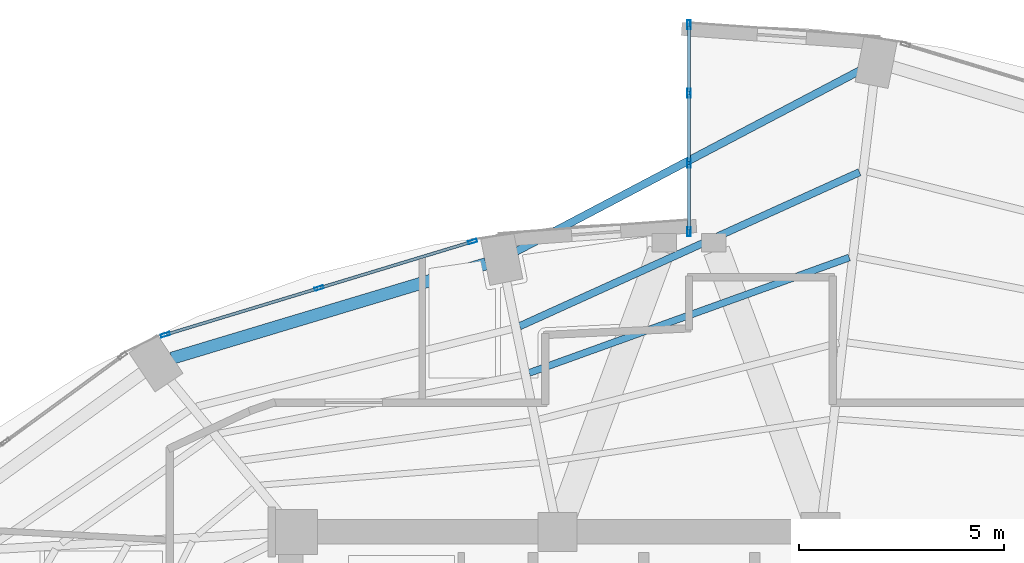
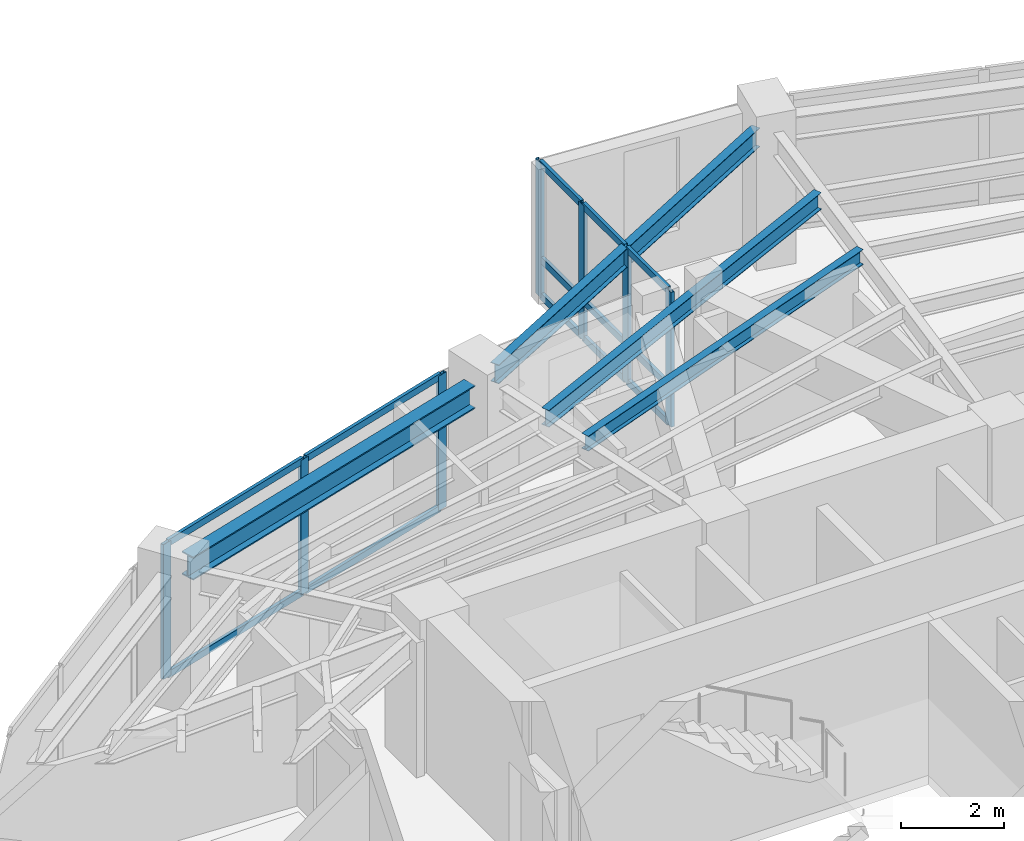
# One storey, part 12 of 20: 20 members, 4 beams, 2 elements without a shape of their own.
"""IFC4 building model written with IfcOpenShell, lengths in metres."""

from ifc_helpers import new_model, si_unit, direction, frame, origin, origin_2d, place, context, subcontext, project, spatial, hollow_rectangle, i_section, extrude, material, layer, layer_set, material_profile, profile_set, type_object, element, aggregate, save


model = new_model("IFC4")

# Units and contexts
model_context = context("Model", 3, precision=1e-05, world=origin(), true_north=direction((0.0, 1.0)))
body_context = subcontext(model_context, "Body", "Model", "MODEL_VIEW")
ifc_project = project(units=[si_unit("LENGTHUNIT", "METRE"), si_unit("AREAUNIT", "SQUARE_METRE"), si_unit("VOLUMEUNIT", "CUBIC_METRE"), si_unit("PLANEANGLEUNIT", "RADIAN"), si_unit("MASSUNIT", "GRAM", prefix="KILO")], contexts=[model_context])

# Site, building, storey
site_placement = place(None, origin())
site = spatial("IfcSite", under=ifc_project, at=site_placement, CompositionType="ELEMENT")
building_placement = place(site_placement, origin())
building = spatial("IfcBuilding", under=site, at=building_placement, Name="Lazwardi Medical Tower", CompositionType="ELEMENT")
storey_placement = place(building_placement, frame((0.0, 0.0, 185.7119140625)))
storey = spatial("IfcBuildingStorey", under=building, at=storey_placement, Name="L48", CompositionType="ELEMENT", Elevation=185.7119140625)

# Beams
ifc_material_1 = material(Name="Steel S355", Category="steel")
ifc_material_profile_1 = material_profile(ifc_material_1, i_section(OverallWidth=0.300048828125, OverallDepth=0.550048828125, WebThickness=0.014892578125, FlangeThickness=0.029052734375, at=origin_2d()), Name="HEB 550")
ifc_profile_set_1 = profile_set([ifc_material_profile_1], Name="Steel S355")
beam_type_1 = type_object("IfcBeamType", Name="BM-RB-Z3", PredefinedType="BEAM", material=ifc_profile_set_1)
beam_1_placement = place(storey_placement, frame((31.056884765625, 42.133544921875, 2.923095703125), z_axis=(-0.957616873483, -0.288045002771, 0.0), x_axis=(0.288045002771, -0.957616873483, 0.0)))
element("IfcBeam", 1, at=beam_1_placement, inside=storey, type_object=beam_type_1, Name="Ring beam RB-04 B09 L48", PredefinedType="BEAM", context=body_context, shape_type="SweptSolid", body=[
    extrude(i_section(OverallWidth=0.300048828125, OverallDepth=0.550048828125, WebThickness=0.014892578125, FlangeThickness=0.029052734375, at=origin_2d()), origin(), (0.0, 0.0, 1.0), 7.99951171875),
])
ifc_material_profile_2 = material_profile(ifc_material_1, i_section(OverallWidth=0.179931640625, OverallDepth=0.39990234375, WebThickness=0.008544921875, FlangeThickness=0.013427734375, at=origin_2d()), Name="IPE 400")
ifc_profile_set_2 = profile_set([ifc_material_profile_2], Name="Steel S355")
beam_type_2 = type_object("IfcBeamType", Name="BM-SJ-01", PredefinedType="JOIST", material=ifc_profile_set_2)
beam_2_placement = place(storey_placement, frame((40.155029296875, 44.3642578125, 2.998046875), z_axis=(-0.910834000674, -0.412772846995, 0.0), x_axis=(0.412772846995, -0.910834000674, 0.0)))
element("IfcBeam", 2, at=beam_2_placement, inside=storey, type_object=beam_type_2, Name="Secondary joist SJ-01 R1 B08 L48", PredefinedType="JOIST", context=body_context, shape_type="SweptSolid", body=[
    extrude(i_section(OverallWidth=0.179931640625, OverallDepth=0.39990234375, WebThickness=0.008544921875, FlangeThickness=0.013427734375, at=origin_2d()), origin(), (0.0, 0.0, 1.0), 9.09130859375),
])
ifc_material_profile_3 = material_profile(ifc_material_1, i_section(OverallWidth=0.169921875, OverallDepth=0.360107421875, WebThickness=0.008056640625, FlangeThickness=0.0126953125, at=origin_2d()), Name="IPE 360")
ifc_profile_set_3 = profile_set([ifc_material_profile_3], Name="Steel S355")
beam_type_3 = type_object("IfcBeamType", Name="BM-SJ-02", PredefinedType="JOIST", material=ifc_profile_set_3)
beam_3_placement = place(storey_placement, frame((39.904052734375, 42.284423828125, 3.01806640625), z_axis=(-0.940747993319, -0.339106492221, 0.0), x_axis=(0.339106492221, -0.940747993319, 0.0)))
element("IfcBeam", 3, at=beam_3_placement, inside=storey, type_object=beam_type_3, Name="Secondary joist SJ-02 R2 B08 L48", PredefinedType="JOIST", context=body_context, shape_type="SweptSolid", body=[
    extrude(i_section(OverallWidth=0.169921875, OverallDepth=0.360107421875, WebThickness=0.008056640625, FlangeThickness=0.0126953125, at=origin_2d()), origin(), (0.0, 0.0, 1.0), 8.28662109375),
])
ifc_material_profile_4 = material_profile(ifc_material_1, i_section(OverallWidth=0.18994140625, OverallDepth=0.449951171875, WebThickness=0.009521484375, FlangeThickness=0.0146484375, at=origin_2d()), Name="IPE 450")
ifc_profile_set_4 = profile_set([ifc_material_profile_4], Name="Steel S355")
beam_type_4 = type_object("IfcBeamType", Name="BM-SP-01", PredefinedType="SPANDREL", material=ifc_profile_set_4)
beam_4_placement = place(storey_placement, frame((40.206298828125, 46.862548828125, 2.97314453125), z_axis=(-0.884926578414, -0.465730556026, 0.0), x_axis=(0.465730556026, -0.884926578414, 0.0)))
element("IfcBeam", 4, at=beam_4_placement, inside=storey, type_object=beam_type_4, Name="Spandrel beam SP-01 B08 L48", PredefinedType="SPANDREL", context=body_context, shape_type="SweptSolid", body=[
    extrude(i_section(OverallWidth=0.18994140625, OverallDepth=0.449951171875, WebThickness=0.009521484375, FlangeThickness=0.0146484375, at=origin_2d()), origin(), (0.0, 0.0, 1.0), 9.506591796875),
])

# Curtain wall, members
ifc_material_2 = material(Name="Anodised bronze aluminium and solar control glazing", Category="aluminium")
ifc_layer_1 = layer(ifc_material_2, 0.195068359375)
ifc_layer_set_1 = layer_set([ifc_layer_1], Name="Anodised bronze aluminium and solar control glazing")
curtain_wall_type_1 = type_object("IfcCurtainWallType", Name="CW-SYS-03", PredefinedType="NOTDEFINED", material=ifc_layer_set_1)
curtain_wall_1_placement = place(storey_placement, origin())
curtain_wall_1 = element("IfcCurtainWall", 5, at=curtain_wall_1_placement, inside=storey, type_object=curtain_wall_type_1, Name="L48 Unitised bronze curtain wall CW-03", PredefinedType="NOTDEFINED")
ifc_material_3 = material(Name="Anodised bronze aluminium", Category="aluminium")
ifc_material_profile_5 = material_profile(ifc_material_3, hollow_rectangle(XDim=0.074951171875, YDim=0.219970703125, WallThickness=0.00390625, at=origin_2d()), Name="ALU-MULLION 220x75x4")
ifc_profile_set_5 = profile_set([ifc_material_profile_5], Name="Anodised bronze aluminium")
member_type_1 = type_object("IfcMemberType", Name="CW-MUL-01", PredefinedType="MULLION", material=ifc_profile_set_5)
member_1_placement = place(storey_placement, frame((30.72802734375, 42.674072265625, 0.0), z_axis=(0.0, 0.0, 1.0), x_axis=(0.290280785441, -0.956941516292, 0.0)))
member_1 = element("IfcMember", 6, at=member_1_placement, type_object=member_type_1, Name="CW-03 mullion 1", PredefinedType="MULLION", context=body_context, shape_type="SweptSolid", body=[
    extrude(hollow_rectangle(XDim=0.074951171875, YDim=0.219970703125, WallThickness=0.00390625, at=origin_2d()), origin(), (0.0, 0.0, 1.0), 3.197998046875),
])
member_2_placement = place(storey_placement, frame((26.98486328125, 41.538818359375, 0.0), z_axis=(0.0, 0.0, 1.0), x_axis=(0.290280785441, -0.956941516292, 0.0)))
member_2 = element("IfcMember", 7, at=member_2_placement, type_object=member_type_1, Name="CW-03 mullion 2", PredefinedType="MULLION", context=body_context, shape_type="SweptSolid", body=[
    extrude(hollow_rectangle(XDim=0.074951171875, YDim=0.219970703125, WallThickness=0.00390625, at=origin_2d()), origin(), (0.0, 0.0, 1.0), 3.197998046875),
])
member_3_placement = place(storey_placement, frame((23.241943359375, 40.4033203125, 0.0), z_axis=(0.0, 0.0, 1.0), x_axis=(0.290280785441, -0.956941516292, 0.0)))
member_3 = element("IfcMember", 8, at=member_3_placement, type_object=member_type_1, Name="CW-03 mullion 3", PredefinedType="MULLION", context=body_context, shape_type="SweptSolid", body=[
    extrude(hollow_rectangle(XDim=0.074951171875, YDim=0.219970703125, WallThickness=0.00390625, at=origin_2d()), origin(), (0.0, 0.0, 1.0), 3.197998046875),
])

ifc_layer_2 = layer(ifc_material_2, 0.2099609375)
ifc_layer_set_2 = layer_set([ifc_layer_2], Name="Anodised bronze aluminium and solar control glazing")
curtain_wall_type_2 = type_object("IfcCurtainWallType", Name="CW-SYS-06", PredefinedType="NOTDEFINED", material=ifc_layer_set_2)
curtain_wall_2_placement = place(storey_placement, origin())
curtain_wall_2 = element("IfcCurtainWall", 9, at=curtain_wall_2_placement, inside=storey, type_object=curtain_wall_type_2, Name="L48 Unitised bronze curtain wall CW-06", PredefinedType="NOTDEFINED")
member_4_placement = place(storey_placement, frame((36.0, 47.96240234375, 0.0), z_axis=(0.0, 0.0, 1.0), x_axis=(1.0, 0.0, 0.0)))
member_4 = element("IfcMember", 10, at=member_4_placement, type_object=member_type_1, Name="CW-06 mullion 1", PredefinedType="MULLION", context=body_context, shape_type="SweptSolid", body=[
    extrude(hollow_rectangle(XDim=0.074951171875, YDim=0.219970703125, WallThickness=0.00390625, at=origin_2d()), origin(), (0.0, 0.0, 1.0), 3.197998046875),
])
member_5_placement = place(storey_placement, frame((36.0, 46.293212890625, 0.0), z_axis=(0.0, 0.0, 1.0), x_axis=(1.0, 0.0, 0.0)))
member_5 = element("IfcMember", 11, at=member_5_placement, type_object=member_type_1, Name="CW-06 mullion 2", PredefinedType="MULLION", context=body_context, shape_type="SweptSolid", body=[
    extrude(hollow_rectangle(XDim=0.074951171875, YDim=0.219970703125, WallThickness=0.00390625, at=origin_2d()), origin(), (0.0, 0.0, 1.0), 3.197998046875),
])
member_6_placement = place(storey_placement, frame((36.0, 44.586669921875, 0.0), z_axis=(0.0, 0.0, 1.0), x_axis=(1.0, 0.0, 0.0)))
member_6 = element("IfcMember", 12, at=member_6_placement, type_object=member_type_1, Name="CW-06 mullion 3", PredefinedType="MULLION", context=body_context, shape_type="SweptSolid", body=[
    extrude(hollow_rectangle(XDim=0.074951171875, YDim=0.219970703125, WallThickness=0.00390625, at=origin_2d()), origin(), (0.0, 0.0, 1.0), 3.197998046875),
])
member_7_placement = place(storey_placement, frame((36.0, 42.91748046875, 0.0), z_axis=(0.0, 0.0, 1.0), x_axis=(1.0, 0.0, 0.0)))
member_7 = element("IfcMember", 13, at=member_7_placement, type_object=member_type_1, Name="CW-06 mullion 4", PredefinedType="MULLION", context=body_context, shape_type="SweptSolid", body=[
    extrude(hollow_rectangle(XDim=0.074951171875, YDim=0.219970703125, WallThickness=0.00390625, at=origin_2d()), origin(), (0.0, 0.0, 1.0), 3.197998046875),
])

# Member
ifc_material_profile_6 = material_profile(ifc_material_3, hollow_rectangle(XDim=0.074951171875, YDim=0.159912109375, WallThickness=0.00390625, at=origin_2d()), Name="ALU-TRANSOM 160x75x4")
ifc_profile_set_6 = profile_set([ifc_material_profile_6], Name="Anodised bronze aluminium")
member_type_2 = type_object("IfcMemberType", Name="CW-TRN-01", PredefinedType="USERDEFINED", material=ifc_profile_set_6)
member_8_placement = place(storey_placement, frame((30.692138671875, 42.663330078125, 0.03759765625), z_axis=(-0.956935517424, -0.290300560612, 0.0), x_axis=(0.290300560612, -0.956935517424, 0.0)))
member_8 = element("IfcMember", 14, at=member_8_placement, type_object=member_type_2, Name="CW-03 transom 1.1", ObjectType="TRANSOM", PredefinedType="USERDEFINED", context=body_context, shape_type="SweptSolid", body=[
    extrude(hollow_rectangle(XDim=0.074951171875, YDim=0.159912109375, WallThickness=0.00390625, at=origin_2d()), origin(), (0.0, 0.0, 1.0), 3.836669921875),
])

member_9_placement = place(storey_placement, frame((30.692138671875, 42.663330078125, 3.16064453125), z_axis=(-0.956935517424, -0.290300560612, 0.0), x_axis=(0.290300560612, -0.956935517424, 0.0)))
member_9 = element("IfcMember", 15, at=member_9_placement, type_object=member_type_2, Name="CW-03 transom 1.2", ObjectType="TRANSOM", PredefinedType="USERDEFINED", context=body_context, shape_type="SweptSolid", body=[
    extrude(hollow_rectangle(XDim=0.074951171875, YDim=0.159912109375, WallThickness=0.00390625, at=origin_2d()), origin(), (0.0, 0.0, 1.0), 3.836669921875),
])

member_10_placement = place(storey_placement, frame((26.948974609375, 41.52783203125, 0.03759765625), z_axis=(-0.956930154175, -0.290318239233, 0.0), x_axis=(0.290318239233, -0.956930154175, 0.0)))
member_10 = element("IfcMember", 16, at=member_10_placement, type_object=member_type_2, Name="CW-03 transom 2.1", ObjectType="TRANSOM", PredefinedType="USERDEFINED", context=body_context, shape_type="SweptSolid", body=[
    extrude(hollow_rectangle(XDim=0.074951171875, YDim=0.159912109375, WallThickness=0.00390625, at=origin_2d()), origin(), (0.0, 0.0, 1.0), 3.83642578125),
])

member_11_placement = place(storey_placement, frame((26.948974609375, 41.52783203125, 3.16064453125), z_axis=(-0.956930154175, -0.290318239233, 0.0), x_axis=(0.290318239233, -0.956930154175, 0.0)))
member_11 = element("IfcMember", 17, at=member_11_placement, type_object=member_type_2, Name="CW-03 transom 2.2", ObjectType="TRANSOM", PredefinedType="USERDEFINED", context=body_context, shape_type="SweptSolid", body=[
    extrude(hollow_rectangle(XDim=0.074951171875, YDim=0.159912109375, WallThickness=0.00390625, at=origin_2d()), origin(), (0.0, 0.0, 1.0), 3.83642578125),
])

aggregate(curtain_wall_1, [member_1, member_2, member_3, member_8, member_9, member_10, member_11])

member_12_placement = place(storey_placement, frame((36.0, 47.925048828125, 0.03759765625), z_axis=(0.0, -1.0, 0.0), x_axis=(1.0, 0.0, 0.0)))
member_12 = element("IfcMember", 18, at=member_12_placement, type_object=member_type_2, Name="CW-06 transom 1.1", ObjectType="TRANSOM", PredefinedType="USERDEFINED", context=body_context, shape_type="SweptSolid", body=[
    extrude(hollow_rectangle(XDim=0.074951171875, YDim=0.159912109375, WallThickness=0.00390625, at=origin_2d()), origin(), (0.0, 0.0, 1.0), 1.59423828125),
])

member_13_placement = place(storey_placement, frame((36.0, 47.925048828125, 0.900146484375), z_axis=(0.0, -1.0, 0.0), x_axis=(1.0, 0.0, 0.0)))
member_13 = element("IfcMember", 19, at=member_13_placement, type_object=member_type_2, Name="CW-06 transom 1.2", ObjectType="TRANSOM", PredefinedType="USERDEFINED", context=body_context, shape_type="SweptSolid", body=[
    extrude(hollow_rectangle(XDim=0.074951171875, YDim=0.159912109375, WallThickness=0.00390625, at=origin_2d()), origin(), (0.0, 0.0, 1.0), 1.59423828125),
])

member_14_placement = place(storey_placement, frame((36.0, 47.925048828125, 3.16064453125), z_axis=(0.0, -1.0, 0.0), x_axis=(1.0, 0.0, 0.0)))
member_14 = element("IfcMember", 20, at=member_14_placement, type_object=member_type_2, Name="CW-06 transom 1.3", ObjectType="TRANSOM", PredefinedType="USERDEFINED", context=body_context, shape_type="SweptSolid", body=[
    extrude(hollow_rectangle(XDim=0.074951171875, YDim=0.159912109375, WallThickness=0.00390625, at=origin_2d()), origin(), (0.0, 0.0, 1.0), 1.59423828125),
])

member_15_placement = place(storey_placement, frame((36.0, 46.255859375, 0.03759765625), z_axis=(0.0, -1.0, 0.0), x_axis=(1.0, 0.0, 0.0)))
member_15 = element("IfcMember", 21, at=member_15_placement, type_object=member_type_2, Name="CW-06 transom 2.1", ObjectType="TRANSOM", PredefinedType="USERDEFINED", context=body_context, shape_type="SweptSolid", body=[
    extrude(hollow_rectangle(XDim=0.074951171875, YDim=0.159912109375, WallThickness=0.00390625, at=origin_2d()), origin(), (0.0, 0.0, 1.0), 1.631591796875),
])

member_16_placement = place(storey_placement, frame((36.0, 46.255859375, 0.900146484375), z_axis=(0.0, -1.0, 0.0), x_axis=(1.0, 0.0, 0.0)))
member_16 = element("IfcMember", 22, at=member_16_placement, type_object=member_type_2, Name="CW-06 transom 2.2", ObjectType="TRANSOM", PredefinedType="USERDEFINED", context=body_context, shape_type="SweptSolid", body=[
    extrude(hollow_rectangle(XDim=0.074951171875, YDim=0.159912109375, WallThickness=0.00390625, at=origin_2d()), origin(), (0.0, 0.0, 1.0), 1.631591796875),
])

member_17_placement = place(storey_placement, frame((36.0, 46.255859375, 3.16064453125), z_axis=(0.0, -1.0, 0.0), x_axis=(1.0, 0.0, 0.0)))
member_17 = element("IfcMember", 23, at=member_17_placement, type_object=member_type_2, Name="CW-06 transom 2.3", ObjectType="TRANSOM", PredefinedType="USERDEFINED", context=body_context, shape_type="SweptSolid", body=[
    extrude(hollow_rectangle(XDim=0.074951171875, YDim=0.159912109375, WallThickness=0.00390625, at=origin_2d()), origin(), (0.0, 0.0, 1.0), 1.631591796875),
])

member_18_placement = place(storey_placement, frame((36.0, 44.549072265625, 0.03759765625), z_axis=(0.0, -1.0, 0.0), x_axis=(1.0, 0.0, 0.0)))
member_18 = element("IfcMember", 24, at=member_18_placement, type_object=member_type_2, Name="CW-06 transom 3.1", ObjectType="TRANSOM", PredefinedType="USERDEFINED", context=body_context, shape_type="SweptSolid", body=[
    extrude(hollow_rectangle(XDim=0.074951171875, YDim=0.159912109375, WallThickness=0.00390625, at=origin_2d()), origin(), (0.0, 0.0, 1.0), 1.593994140625),
])

member_19_placement = place(storey_placement, frame((36.0, 44.549072265625, 0.900146484375), z_axis=(0.0, -1.0, 0.0), x_axis=(1.0, 0.0, 0.0)))
member_19 = element("IfcMember", 25, at=member_19_placement, type_object=member_type_2, Name="CW-06 transom 3.2", ObjectType="TRANSOM", PredefinedType="USERDEFINED", context=body_context, shape_type="SweptSolid", body=[
    extrude(hollow_rectangle(XDim=0.074951171875, YDim=0.159912109375, WallThickness=0.00390625, at=origin_2d()), origin(), (0.0, 0.0, 1.0), 1.593994140625),
])

member_20_placement = place(storey_placement, frame((36.0, 44.549072265625, 3.16064453125), z_axis=(0.0, -1.0, 0.0), x_axis=(1.0, 0.0, 0.0)))
member_20 = element("IfcMember", 26, at=member_20_placement, type_object=member_type_2, Name="CW-06 transom 3.3", ObjectType="TRANSOM", PredefinedType="USERDEFINED", context=body_context, shape_type="SweptSolid", body=[
    extrude(hollow_rectangle(XDim=0.074951171875, YDim=0.159912109375, WallThickness=0.00390625, at=origin_2d()), origin(), (0.0, 0.0, 1.0), 1.593994140625),
])

aggregate(curtain_wall_2, [member_4, member_5, member_6, member_7, member_12, member_13, member_14, member_15, member_16, member_17, member_18, member_19, member_20])

save(model, "model.ifc")
